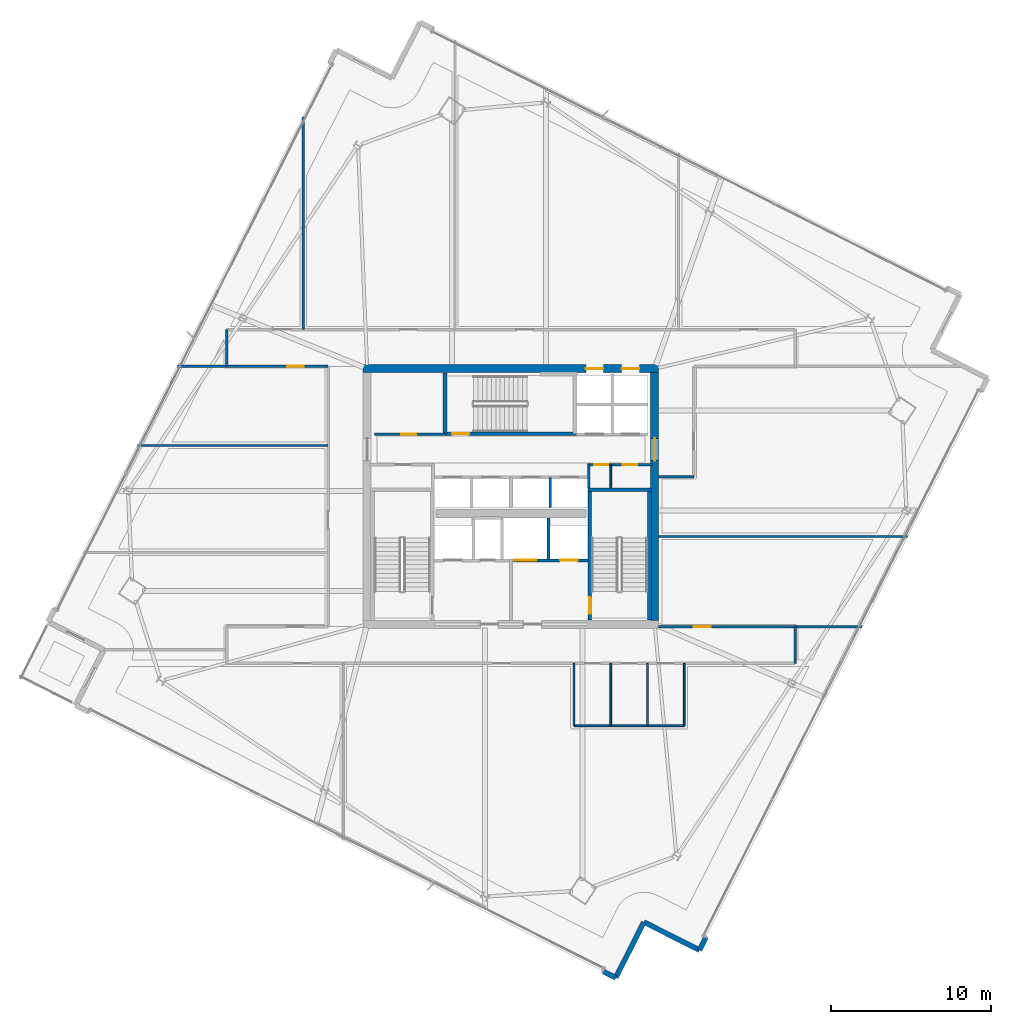
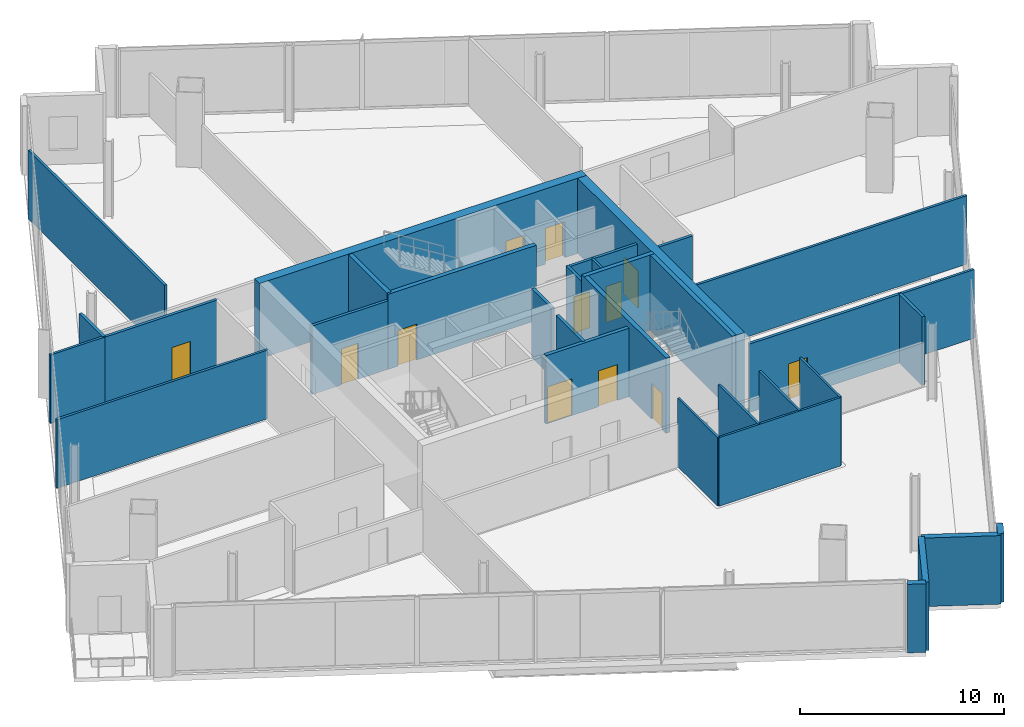
# One storey, part 21 of 27: 33 walls, 12 doors, 12 openings.
"""IFC4 building model written with IfcOpenShell, lengths in metres."""

from ifc_helpers import new_model, si_unit, direction, frame, frame_2d, origin, place, context, subcontext, project, spatial, rectangle, extrude, material, layer, layer_set, type_object, element, fill, save


model = new_model("IFC4")

# Units and contexts
model_context = context("Model", 3, precision=1e-05, world=origin(), true_north=direction((0.0, 1.0)))
body_context = subcontext(model_context, "Body", "Model", "MODEL_VIEW")
ifc_project = project(units=[si_unit("LENGTHUNIT", "METRE"), si_unit("AREAUNIT", "SQUARE_METRE"), si_unit("VOLUMEUNIT", "CUBIC_METRE"), si_unit("PLANEANGLEUNIT", "RADIAN"), si_unit("MASSUNIT", "GRAM", prefix="KILO")], contexts=[model_context])

# Site, building, storey
site_placement = place(None, origin())
site = spatial("IfcSite", under=ifc_project, at=site_placement, CompositionType="ELEMENT")
building_placement = place(site_placement, origin())
building = spatial("IfcBuilding", under=site, at=building_placement, Name="Haldenkirk Collegiate Tower", CompositionType="ELEMENT")
storey_placement = place(building_placement, frame((0.0, 0.0, 239.699951171875)))
storey = spatial("IfcBuildingStorey", under=building, at=storey_placement, Name="L60", CompositionType="ELEMENT", Elevation=239.699951171875)

# Wall, openings, doors
ifc_material_1 = material(Name="Concrete f'c 55 MPa", Category="concrete")
ifc_layer_1 = layer(ifc_material_1, 0.5)
ifc_layer_set_1 = layer_set([ifc_layer_1], Name="Concrete f'c 55 MPa")
wall_type_1 = type_object("IfcWallType", Name="WL-CORE-500", PredefinedType="SHEAR", material=ifc_layer_set_1)
wall_1_placement = place(storey_placement, frame((26.75, 34.0, 0.0), z_axis=(0.0, 0.0, 1.0), x_axis=(1.0, 0.0, 0.0)))
wall_1 = element("IfcWall", 1, at=wall_1_placement, inside=storey, type_object=wall_type_1, Name="L60 central core shear wall N", PredefinedType="SHEAR", context=body_context, shape_type="SweptSolid", body=[
    extrude(rectangle(XDim=18.5, YDim=0.5, at=frame_2d((9.25, 0.0))), origin(), (0.0, 0.0, 1.0), 4.5),
])
opening_1_placement = place(wall_1_placement, frame((13.93505859375, 0.0, 0.0)))
opening_1 = element("IfcOpeningElement", 2, at=opening_1_placement, cuts=wall_1, Name="Opening LD-11", PredefinedType="OPENING", context=body_context, shape_type="SweptSolid", body=[
    extrude(rectangle(XDim=1.10009765625, YDim=2.14990234375, at=frame_2d((0.550048828125, 1.074951171875))), frame((0.0, 0.260009765625, 0.0), z_axis=(0.0, -1.0, 0.0), x_axis=(1.0, 0.0, 0.0)), (0.0, 0.0, 1.0), 0.52001953125),
])
opening_2_placement = place(wall_1_placement, frame((16.18505859375, 0.0, 0.0)))
opening_2 = element("IfcOpeningElement", 3, at=opening_2_placement, cuts=wall_1, Name="Opening LD-11", PredefinedType="OPENING", context=body_context, shape_type="SweptSolid", body=[
    extrude(rectangle(XDim=1.10009765625, YDim=2.14990234375, at=frame_2d((0.550048828125, 1.074951171875))), frame((0.0, 0.260009765625, 0.0), z_axis=(0.0, -1.0, 0.0), x_axis=(1.0, 0.0, 0.0)), (0.0, 0.0, 1.0), 0.52001953125),
])
ifc_material_2 = material(Name="Brushed architectural stainless steel", Category="steel")
ifc_layer_2 = layer(ifc_material_2, 0.06005859375)
ifc_layer_set_2 = layer_set([ifc_layer_2], Name="Brushed architectural stainless steel")
door_type_1 = type_object("IfcDoorType", Name="LD-PASS-1100", OperationType="NOTDEFINED", PredefinedType="DOOR", material=ifc_layer_set_2)
door_1_placement = place(opening_1_placement, origin())
door_1 = element("IfcDoor", 4, at=door_1_placement, inside=storey, type_object=door_type_1, Name="L60 Elevator PM3 sliding landing door", OperationType="SLIDING_TO_LEFT", OverallHeight=2.14990234375, OverallWidth=1.10009765625, PredefinedType="DOOR", context=body_context, shape_type="SweptSolid", body=[
    extrude(rectangle(XDim=1.10009765625, YDim=2.14990234375, at=frame_2d((0.550048828125, 1.074951171875))), frame((0.0, 0.02490234375, 0.0), z_axis=(0.0, -1.0, 0.0), x_axis=(1.0, 0.0, 0.0)), (0.0, 0.0, 1.0), 0.050048828125),
])
fill(opening_1, door_1)
door_2_placement = place(opening_2_placement, origin())
door_2 = element("IfcDoor", 5, at=door_2_placement, inside=storey, type_object=door_type_1, Name="L60 Elevator PM4 sliding landing door", OperationType="SLIDING_TO_LEFT", OverallHeight=2.14990234375, OverallWidth=1.10009765625, PredefinedType="DOOR", context=body_context, shape_type="SweptSolid", body=[
    extrude(rectangle(XDim=1.10009765625, YDim=2.14990234375, at=frame_2d((0.550048828125, 1.074951171875))), frame((0.0, 0.02490234375, 0.0), z_axis=(0.0, -1.0, 0.0), x_axis=(1.0, 0.0, 0.0)), (0.0, 0.0, 1.0), 0.050048828125),
])
fill(opening_2, door_2)

# Wall, opening, door
wall_2_placement = place(storey_placement, frame((45.0, 18.25, 0.0), z_axis=(0.0, 0.0, 1.0), x_axis=(0.0, 1.0, 0.0)))
wall_2 = element("IfcWall", 6, at=wall_2_placement, inside=storey, type_object=wall_type_1, Name="L60 central core shear wall E", PredefinedType="SHEAR", context=body_context, shape_type="SweptSolid", body=[
    extrude(rectangle(XDim=15.5, YDim=0.5, at=frame_2d((7.75, 0.0))), origin(), (0.0, 0.0, 1.0), 4.5),
])
opening_3_placement = place(wall_2_placement, frame((9.989990234375, 0.0, 0.0)))
opening_3 = element("IfcOpeningElement", 7, at=opening_3_placement, cuts=wall_2, Name="Opening D-03", PredefinedType="OPENING", context=body_context, shape_type="SweptSolid", body=[
    extrude(rectangle(XDim=1.39990234375, YDim=2.199951171875, at=frame_2d((0.699951171875, 1.10009765625))), frame((0.0, 0.260009765625, 0.0), z_axis=(0.0, -1.0, 0.0), x_axis=(1.0, 0.0, 0.0)), (0.0, 0.0, 1.0), 0.52001953125),
])
ifc_material_3 = material(Name="Galvanized fire-rated hollow steel door", Category="steel")
ifc_layer_3 = layer(ifc_material_3, 0.06005859375)
ifc_layer_set_3 = layer_set([ifc_layer_3], Name="Galvanized fire-rated hollow steel door")
door_type_2 = type_object("IfcDoorType", Name="DR-LOBBY-FD90-1400", OperationType="NOTDEFINED", PredefinedType="DOOR", material=ifc_layer_set_3)
door_3_placement = place(opening_3_placement, origin())
door_3 = element("IfcDoor", 8, at=door_3_placement, inside=storey, type_object=door_type_2, Name="L60 east lift lobby portal", OperationType="DOUBLE_DOOR_SINGLE_SWING", OverallHeight=2.199951171875, OverallWidth=1.39990234375, PredefinedType="DOOR", context=body_context, shape_type="SweptSolid", body=[
    extrude(rectangle(XDim=1.39990234375, YDim=2.199951171875, at=frame_2d((0.699951171875, 1.10009765625))), frame((0.0, 0.02490234375, 0.0), z_axis=(0.0, -1.0, 0.0), x_axis=(1.0, 0.0, 0.0)), (0.0, 0.0, 1.0), 0.050048828125),
])
fill(opening_3, door_3)

# Walls
ifc_material_4 = material(Name="Precast concrete f'c 40 MPa", Category="concrete")
ifc_layer_4 = layer(ifc_material_4, 0.320068359375)
ifc_layer_set_4 = layer_set([ifc_layer_4], Name="Precast concrete f'c 40 MPa")
wall_type_2 = type_object("IfcWallType", Name="WL-EXT-TWR-320", PredefinedType="STANDARD", material=ifc_layer_set_4)
wall_3_placement = place(storey_placement, frame((48.20947265625, -1.59912109375, 0.0), z_axis=(0.0, 0.0, 1.0), x_axis=(-0.45024883958, -0.892903120421, 0.0)))
element("IfcWall", 9, at=wall_3_placement, inside=storey, type_object=wall_type_2, Name="L60 precast corner pier SR", PredefinedType="STANDARD", context=body_context, shape_type="SweptSolid", body=[
    extrude(rectangle(XDim=0.900146484375, YDim=0.320068359375, at=frame_2d((0.4501953125, 0.0))), origin(), (0.0, 0.0, 1.0), 4.10009765625),
])
wall_4_placement = place(storey_placement, frame((42.56640625, -4.1298828125, 0.0), z_axis=(0.0, 0.0, 1.0), x_axis=(-0.893012151464, 0.450032551421, 0.0)))
element("IfcWall", 10, at=wall_4_placement, inside=storey, type_object=wall_type_2, Name="L60 precast corner pier WL", PredefinedType="STANDARD", context=body_context, shape_type="SweptSolid", body=[
    extrude(rectangle(XDim=0.89990234375, YDim=0.320068359375, at=frame_2d((0.449951171875, 0.0))), origin(), (0.0, 0.0, 1.0), 4.10009765625),
])
wall_5_placement = place(storey_placement, frame((44.321533203125, -0.6474609375, 0.0), z_axis=(0.0, 0.0, 1.0), x_axis=(-0.450066097652, -0.892995245085, 0.0)))
element("IfcWall", 11, at=wall_5_placement, inside=storey, type_object=wall_type_2, Name="L60 bronze precast notch wall 11", PredefinedType="STANDARD", context=body_context, shape_type="SweptSolid", body=[
    extrude(rectangle(XDim=3.899658203125, YDim=0.320068359375, at=frame_2d((1.94970703125, 0.0))), origin(), (0.0, 0.0, 1.0), 4.10009765625),
])
wall_6_placement = place(storey_placement, frame((47.80419921875, -2.40283203125, 0.0), z_axis=(0.0, 0.0, 1.0), x_axis=(-0.892982765682, 0.450090857711, 0.0)))
element("IfcWall", 12, at=wall_6_placement, inside=storey, type_object=wall_type_2, Name="L60 bronze precast notch wall 12", PredefinedType="STANDARD", context=body_context, shape_type="SweptSolid", body=[
    extrude(rectangle(XDim=3.900146484375, YDim=0.320068359375, at=frame_2d((1.9501953125, 0.0))), origin(), (0.0, 0.0, 1.0), 4.10009765625),
])

# Wall, openings, doors
ifc_material_5 = material(Name="Acoustic fire-rated gypsum partition", Category="concrete")
ifc_layer_5 = layer(ifc_material_5, 0.159912109375)
ifc_layer_set_5 = layer_set([ifc_layer_5], Name="Acoustic fire-rated gypsum partition")
wall_type_3 = type_object("IfcWallType", Name="WL-INT-CORR-160", PredefinedType="PARTITIONING", material=ifc_layer_set_5)
wall_7_placement = place(storey_placement, frame((40.800048828125, 27.97998046875, 0.0), z_axis=(0.0, 0.0, 1.0), x_axis=(1.0, 0.0, 0.0)))
wall_7 = element("IfcWall", 13, at=wall_7_placement, inside=storey, type_object=wall_type_3, Name="L60 interior partition IW-L60-VCSE-N", PredefinedType="PARTITIONING", context=body_context, shape_type="SweptSolid", body=[
    extrude(rectangle(XDim=4.050048828125, YDim=0.159912109375, at=frame_2d((2.02490234375, 0.0))), origin(), (0.0, 0.0, 1.0), 4.10009765625),
])
opening_4_placement = place(wall_7_placement, frame((0.407470703125, 0.0, 0.0)))
opening_4 = element("IfcOpeningElement", 14, at=opening_4_placement, cuts=wall_7, Name="Opening D-11", PredefinedType="OPENING", context=body_context, shape_type="SweptSolid", body=[
    extrude(rectangle(XDim=0.89990234375, YDim=2.14990234375, at=frame_2d((0.449951171875, 1.074951171875))), frame((0.0, 0.08984375, 0.0), z_axis=(0.0, -1.0, 0.0), x_axis=(1.0, 0.0, 0.0)), (0.0, 0.0, 1.0), 0.179931640625),
])
opening_5_placement = place(wall_7_placement, frame((2.199951171875, 0.0, 0.0)))
opening_5 = element("IfcOpeningElement", 15, at=opening_5_placement, cuts=wall_7, Name="Opening D-11", PredefinedType="OPENING", context=body_context, shape_type="SweptSolid", body=[
    extrude(rectangle(XDim=0.89990234375, YDim=2.14990234375, at=frame_2d((0.449951171875, 1.074951171875))), frame((0.0, 0.08984375, 0.0), z_axis=(0.0, -1.0, 0.0), x_axis=(1.0, 0.0, 0.0)), (0.0, 0.0, 1.0), 0.179931640625),
])
ifc_material_6 = material(Name="Solid-core architectural oak fire door", Category="wood")
ifc_layer_6 = layer(ifc_material_6, 0.06005859375)
ifc_layer_set_6 = layer_set([ifc_layer_6], Name="Solid-core architectural oak fire door")
door_type_3 = type_object("IfcDoorType", Name="DR-INT-FD60-900", OperationType="NOTDEFINED", PredefinedType="DOOR", material=ifc_layer_set_6)
door_4_placement = place(opening_4_placement, origin())
door_4 = element("IfcDoor", 16, at=door_4_placement, inside=storey, type_object=door_type_3, Name="L60 core copy room door", OperationType="SINGLE_SWING_RIGHT", OverallHeight=2.14990234375, OverallWidth=0.89990234375, PredefinedType="DOOR", context=body_context, shape_type="SweptSolid", body=[
    extrude(rectangle(XDim=0.89990234375, YDim=2.14990234375, at=frame_2d((0.449951171875, 1.074951171875))), frame((0.0, 0.02490234375, 0.0), z_axis=(0.0, -1.0, 0.0), x_axis=(1.0, 0.0, 0.0)), (0.0, 0.0, 1.0), 0.050048828125),
])
fill(opening_4, door_4)
door_5_placement = place(opening_5_placement, origin())
door_5 = element("IfcDoor", 17, at=door_5_placement, inside=storey, type_object=door_type_3, Name="L60 core records store door", OperationType="SINGLE_SWING_LEFT", OverallHeight=2.14990234375, OverallWidth=0.89990234375, PredefinedType="DOOR", context=body_context, shape_type="SweptSolid", body=[
    extrude(rectangle(XDim=0.89990234375, YDim=2.14990234375, at=frame_2d((0.449951171875, 1.074951171875))), frame((0.0, 0.02490234375, 0.0), z_axis=(0.0, -1.0, 0.0), x_axis=(1.0, 0.0, 0.0)), (0.0, 0.0, 1.0), 0.050048828125),
])
fill(opening_5, door_5)

# Wall
wall_8_placement = place(storey_placement, frame((40.8798828125, 26.5400390625, 0.0), z_axis=(0.0, 0.0, 1.0), x_axis=(0.0, 1.0, 0.0)))
element("IfcWall", 18, at=wall_8_placement, inside=storey, type_object=wall_type_3, Name="L60 interior partition IW-L60-VCSE-W", PredefinedType="PARTITIONING", context=body_context, shape_type="SweptSolid", body=[
    extrude(rectangle(XDim=1.510009765625, YDim=0.159912109375, at=frame_2d((0.7548828125, 0.0))), origin(), (0.0, 0.0, 1.0), 4.10009765625),
])

# Wall, opening, door
wall_9_placement = place(storey_placement, frame((27.449951171875, 29.89990234375, 0.0), z_axis=(0.0, 0.0, 1.0), x_axis=(1.0, 0.0, 0.0)))
wall_9 = element("IfcWall", 19, at=wall_9_placement, inside=storey, type_object=wall_type_3, Name="L60 interior partition IW-L60-PLS", PredefinedType="PARTITIONING", context=body_context, shape_type="SweptSolid", body=[
    extrude(rectangle(XDim=4.429931640625, YDim=0.159912109375, at=frame_2d((2.21484375, 0.0))), origin(), (0.0, 0.0, 1.0), 4.10009765625),
])
opening_6_placement = place(wall_9_placement, frame((1.675048828125, 0.0, 0.0)))
opening_6 = element("IfcOpeningElement", 20, at=opening_6_placement, cuts=wall_9, Name="Opening D-10", PredefinedType="OPENING", context=body_context, shape_type="SweptSolid", body=[
    extrude(rectangle(XDim=0.949951171875, YDim=2.14990234375, at=frame_2d((0.47509765625, 1.074951171875))), frame((0.0, 0.08984375, 0.0), z_axis=(0.0, -1.0, 0.0), x_axis=(1.0, 0.0, 0.0)), (0.0, 0.0, 1.0), 0.179931640625),
])
ifc_layer_7 = layer(ifc_material_6, 0.06005859375)
ifc_layer_set_7 = layer_set([ifc_layer_7], Name="Solid-core architectural oak fire door")
door_type_4 = type_object("IfcDoorType", Name="DR-INT-FD60-950", OperationType="NOTDEFINED", PredefinedType="DOOR", material=ifc_layer_set_7)
door_6_placement = place(opening_6_placement, origin())
door_6 = element("IfcDoor", 21, at=door_6_placement, inside=storey, type_object=door_type_4, Name="L60 archive door", OperationType="SINGLE_SWING_RIGHT", OverallHeight=2.14990234375, OverallWidth=0.949951171875, PredefinedType="DOOR", context=body_context, shape_type="SweptSolid", body=[
    extrude(rectangle(XDim=0.949951171875, YDim=2.14990234375, at=frame_2d((0.47509765625, 1.074951171875))), frame((0.0, 0.02490234375, 0.0), z_axis=(0.0, -1.0, 0.0), x_axis=(1.0, 0.0, 0.0)), (0.0, 0.0, 1.0), 0.050048828125),
])
fill(opening_6, door_6)

wall_10_placement = place(storey_placement, frame((45.25, 17.85009765625, 0.0), z_axis=(0.0, 0.0, 1.0), x_axis=(1.0, 0.0, 0.0)))
wall_10 = element("IfcWall", 22, at=wall_10_placement, inside=storey, type_object=wall_type_3, Name="L60 interior partition IW-L60-CSE", PredefinedType="PARTITIONING", context=body_context, shape_type="SweptSolid", body=[
    extrude(rectangle(XDim=8.550048828125, YDim=0.159912109375, at=frame_2d((4.27490234375, 0.0))), origin(), (0.0, 0.0, 1.0), 4.10009765625),
])
opening_7_placement = place(wall_10_placement, frame((2.2109375, 0.0, 0.0)))
opening_7 = element("IfcOpeningElement", 23, at=opening_7_placement, cuts=wall_10, Name="Opening D-09", PredefinedType="OPENING", context=body_context, shape_type="SweptSolid", body=[
    extrude(rectangle(XDim=1.050048828125, YDim=2.14990234375, at=frame_2d((0.52490234375, 1.074951171875))), frame((0.0, 0.08984375, 0.0), z_axis=(0.0, -1.0, 0.0), x_axis=(1.0, 0.0, 0.0)), (0.0, 0.0, 1.0), 0.179931640625),
])
ifc_layer_8 = layer(ifc_material_6, 0.06005859375)
ifc_layer_set_8 = layer_set([ifc_layer_8], Name="Solid-core architectural oak fire door")
door_type_5 = type_object("IfcDoorType", Name="DR-INT-FD60-1050", OperationType="NOTDEFINED", PredefinedType="DOOR", material=ifc_layer_set_8)
door_7_placement = place(opening_7_placement, origin())
door_7 = element("IfcDoor", 24, at=door_7_placement, inside=storey, type_object=door_type_5, Name="L60 Optics Research Laboratory 10 door", OperationType="SINGLE_SWING_LEFT", OverallHeight=2.14990234375, OverallWidth=1.050048828125, PredefinedType="DOOR", context=body_context, shape_type="SweptSolid", body=[
    extrude(rectangle(XDim=1.050048828125, YDim=2.14990234375, at=frame_2d((0.52490234375, 1.074951171875))), frame((0.0, 0.02490234375, 0.0), z_axis=(0.0, -1.0, 0.0), x_axis=(1.0, 0.0, 0.0)), (0.0, 0.0, 1.0), 0.050048828125),
])
fill(opening_7, door_7)

wall_11_placement = place(storey_placement, frame((18.199951171875, 34.14990234375, 0.0), z_axis=(0.0, 0.0, 1.0), x_axis=(1.0, 0.0, 0.0)))
wall_11 = element("IfcWall", 25, at=wall_11_placement, inside=storey, type_object=wall_type_3, Name="L60 interior partition IW-L60-CNW", PredefinedType="PARTITIONING", context=body_context, shape_type="SweptSolid", body=[
    extrude(rectangle(XDim=6.35009765625, YDim=0.159912109375, at=frame_2d((3.175048828125, 0.0))), origin(), (0.0, 0.0, 1.0), 4.10009765625),
])
opening_8_placement = place(wall_11_placement, frame((3.79296875, 0.0, 0.0)))
opening_8 = element("IfcOpeningElement", 26, at=opening_8_placement, cuts=wall_11, Name="Opening D-09", PredefinedType="OPENING", context=body_context, shape_type="SweptSolid", body=[
    extrude(rectangle(XDim=1.050048828125, YDim=2.14990234375, at=frame_2d((0.52490234375, 1.074951171875))), frame((0.0, 0.08984375, 0.0), z_axis=(0.0, -1.0, 0.0), x_axis=(1.0, 0.0, 0.0)), (0.0, 0.0, 1.0), 0.179931640625),
])
door_8_placement = place(opening_8_placement, origin())
door_8 = element("IfcDoor", 27, at=door_8_placement, inside=storey, type_object=door_type_5, Name="L60 Wet Science Laboratory 9 door", OperationType="SINGLE_SWING_RIGHT", OverallHeight=2.14990234375, OverallWidth=1.050048828125, PredefinedType="DOOR", context=body_context, shape_type="SweptSolid", body=[
    extrude(rectangle(XDim=1.050048828125, YDim=2.14990234375, at=frame_2d((0.52490234375, 1.074951171875))), frame((0.0, 0.02490234375, 0.0), z_axis=(0.0, -1.0, 0.0), x_axis=(1.0, 0.0, 0.0)), (0.0, 0.0, 1.0), 0.050048828125),
])
fill(opening_8, door_8)

# Walls
wall_12_placement = place(storey_placement, frame((45.199951171875, 27.25, 0.0), z_axis=(0.0, 0.0, 1.0), x_axis=(1.0, 0.0, 0.0)))
element("IfcWall", 28, at=wall_12_placement, inside=storey, type_object=wall_type_3, Name="L60 interior partition IW-L60-CES", PredefinedType="PARTITIONING", context=body_context, shape_type="SweptSolid", body=[
    extrude(rectangle(XDim=2.25, YDim=0.159912109375, at=frame_2d((1.125, 0.0))), origin(), (0.0, 0.0, 1.0), 4.10009765625),
])
for number, where, z_axis, x_axis, name in (
    (29, (53.800048828125, 15.550048828125, 0.0), (0.0, 0.0, 1.0), (0.0, 1.0, 0.0), "L60 interior partition IW-L60-CSR"),
    (30, (18.199951171875, 34.14990234375, 0.0), (0.0, 0.0, 1.0), (0.0, 1.0, 0.0), "L60 interior partition IW-L60-CNL"),
):
    element("IfcWall", number, at=place(storey_placement, frame(where, z_axis=z_axis, x_axis=x_axis)), inside=storey, type_object=wall_type_3, Name=name, PredefinedType="PARTITIONING", context=body_context, shape_type="SweptSolid", body=[
        extrude(rectangle(XDim=2.300048828125, YDim=0.159912109375, at=frame_2d((1.14990234375, 0.0))), origin(), (0.0, 0.0, 1.0), 4.10009765625),
    ])
ifc_layer_9 = layer(ifc_material_5, 0.139892578125)
ifc_layer_set_9 = layer_set([ifc_layer_9], Name="Acoustic fire-rated gypsum partition")
wall_type_4 = type_object("IfcWallType", Name="WL-INT-DIV-140", PredefinedType="PARTITIONING", material=ifc_layer_set_9)
wall_13_placement = place(storey_placement, frame((15.1240234375, 34.14990234375, 0.0), z_axis=(0.0, 0.0, 1.0), x_axis=(1.0, 0.0, 0.0)))
element("IfcWall", 31, at=wall_13_placement, inside=storey, type_object=wall_type_4, Name="L60 interior partition IW-L60-BWN", PredefinedType="PARTITIONING", context=body_context, shape_type="SweptSolid", body=[
    extrude(rectangle(XDim=3.075927734375, YDim=0.139892578125, at=frame_2d((1.5380859375, 0.0))), origin(), (0.0, 0.0, 1.0), 4.10009765625),
])
wall_14_placement = place(storey_placement, frame((53.800048828125, 17.85009765625, 0.0), z_axis=(0.0, 0.0, 1.0), x_axis=(1.0, 0.0, 0.0)))
element("IfcWall", 32, at=wall_14_placement, inside=storey, type_object=wall_type_4, Name="L60 interior partition IW-L60-BES", PredefinedType="PARTITIONING", context=body_context, shape_type="SweptSolid", body=[
    extrude(rectangle(XDim=4.167724609375, YDim=0.139892578125, at=frame_2d((2.083984375, 0.0))), origin(), (0.0, 0.0, 1.0), 4.10009765625),
])
wall_15_placement = place(storey_placement, frame((23.0, 36.449951171875, 0.0), z_axis=(0.0, 0.0, 1.0), x_axis=(0.0, 1.0, 0.0)))
element("IfcWall", 33, at=wall_15_placement, inside=storey, type_object=wall_type_4, Name="L60 interior partition IW-L60-RN1", PredefinedType="PARTITIONING", context=body_context, shape_type="SweptSolid", body=[
    extrude(rectangle(XDim=13.325439453125, YDim=0.139892578125, at=frame_2d((6.66259765625, 0.0))), origin(), (0.0, 0.0, 1.0), 4.10009765625),
])
wall_16_placement = place(storey_placement, frame((12.629150390625, 29.199951171875, 0.0), z_axis=(0.0, 0.0, 1.0), x_axis=(1.0, 0.0, 0.0)))
element("IfcWall", 34, at=wall_16_placement, inside=storey, type_object=wall_type_4, Name="L60 interior partition IW-L60-RW2", PredefinedType="PARTITIONING", context=body_context, shape_type="SweptSolid", body=[
    extrude(rectangle(XDim=11.9208984375, YDim=0.139892578125, at=frame_2d((5.96044921875, 0.0))), origin(), (0.0, 0.0, 1.0), 4.10009765625),
])
wall_17_placement = place(storey_placement, frame((45.25, 23.5, 0.0), z_axis=(0.0, 0.0, 1.0), x_axis=(1.0, 0.0, 0.0)))
element("IfcWall", 35, at=wall_17_placement, inside=storey, type_object=wall_type_4, Name="L60 interior partition IW-L60-RE1", PredefinedType="PARTITIONING", context=body_context, shape_type="SweptSolid", body=[
    extrude(rectangle(XDim=15.5654296875, YDim=0.139892578125, at=frame_2d((7.78271484375, 0.0))), origin(), (0.0, 0.0, 1.0), 4.10009765625),
])
ifc_material_7 = material(Name="Fire-rated gypsum shaftboard assembly", Category="concrete")
ifc_layer_10 = layer(ifc_material_7, 0.179931640625)
ifc_layer_set_10 = layer_set([ifc_layer_10], Name="Fire-rated gypsum shaftboard assembly")
wall_type_5 = type_object("IfcWallType", Name="WL-INT-SHAFT-180", PredefinedType="PARTITIONING", material=ifc_layer_set_10)
wall_18_placement = place(storey_placement, frame((38.35009765625, 22.050048828125, 0.0), z_axis=(0.0, 0.0, 1.0), x_axis=(0.0, 1.0, 0.0)))
element("IfcWall", 36, at=wall_18_placement, inside=storey, type_object=wall_type_5, Name="L60 interior partition IW-L60-GL1E", PredefinedType="PARTITIONING", context=body_context, shape_type="SweptSolid", body=[
    extrude(rectangle(XDim=2.599853515625, YDim=0.179931640625, at=frame_2d((1.2998046875, 0.0))), origin(), (0.0, 0.0, 1.0), 4.10009765625),
])
wall_19_placement = place(storey_placement, frame((38.4599609375, 25.300048828125, 0.0), z_axis=(0.0, 0.0, 1.0), x_axis=(0.0, 1.0, 0.0)))
element("IfcWall", 37, at=wall_19_placement, inside=storey, type_object=wall_type_5, Name="L60 interior partition IW-L60-PHV3", PredefinedType="PARTITIONING", context=body_context, shape_type="SweptSolid", body=[
    extrude(rectangle(XDim=1.89990234375, YDim=0.179931640625, at=frame_2d((0.949951171875, 0.0))), origin(), (0.0, 0.0, 1.0), 4.10009765625),
])

# Wall, openings, doors
ifc_layer_11 = layer(ifc_material_7, 0.199951171875)
ifc_layer_set_11 = layer_set([ifc_layer_11], Name="Fire-rated gypsum shaftboard assembly")
wall_type_6 = type_object("IfcWallType", Name="WL-INT-SHAFT-200", PredefinedType="PARTITIONING", material=ifc_layer_set_11)
wall_20_placement = place(storey_placement, frame((36.1201171875, 22.0, 0.0), z_axis=(0.0, 0.0, 1.0), x_axis=(1.0, 0.0, 0.0)))
wall_20 = element("IfcWall", 38, at=wall_20_placement, inside=storey, type_object=wall_type_6, Name="L60 interior partition IW-L60-FFL2N", PredefinedType="PARTITIONING", context=body_context, shape_type="SweptSolid", body=[
    extrude(rectangle(XDim=4.68994140625, YDim=0.199951171875, at=frame_2d((2.344970703125, 0.0))), origin(), (0.0, 0.0, 1.0), 4.10009765625),
])
opening_9_placement = place(wall_20_placement, frame((2.955078125, 0.0, 0.0)))
opening_9 = element("IfcOpeningElement", 39, at=opening_9_placement, cuts=wall_20, Name="Opening LD-12", PredefinedType="OPENING", context=body_context, shape_type="SweptSolid", body=[
    extrude(rectangle(XDim=1.10009765625, YDim=2.14990234375, at=frame_2d((0.550048828125, 1.074951171875))), frame((0.0, 0.10986328125, 0.0), z_axis=(0.0, -1.0, 0.0), x_axis=(1.0, 0.0, 0.0)), (0.0, 0.0, 1.0), 0.219970703125),
])
opening_10_placement = place(wall_20_placement, frame((0.080078125, 0.0, 0.0)))
opening_10 = element("IfcOpeningElement", 40, at=opening_10_placement, cuts=wall_20, Name="Opening LD-13", PredefinedType="OPENING", context=body_context, shape_type="SweptSolid", body=[
    extrude(rectangle(XDim=1.39990234375, YDim=2.199951171875, at=frame_2d((0.699951171875, 1.10009765625))), frame((0.0, 0.10986328125, 0.0), z_axis=(0.0, -1.0, 0.0), x_axis=(1.0, 0.0, 0.0)), (0.0, 0.0, 1.0), 0.219970703125),
])
ifc_layer_12 = layer(ifc_material_2, 0.06005859375)
ifc_layer_set_12 = layer_set([ifc_layer_12], Name="Brushed architectural stainless steel")
door_type_6 = type_object("IfcDoorType", Name="LD-FIRE-1100", OperationType="NOTDEFINED", PredefinedType="DOOR", material=ifc_layer_set_12)
door_9_placement = place(opening_9_placement, origin())
door_9 = element("IfcDoor", 41, at=door_9_placement, inside=storey, type_object=door_type_6, Name="L60 Elevator FL2 sliding landing door", OperationType="SLIDING_TO_LEFT", OverallHeight=2.14990234375, OverallWidth=1.10009765625, PredefinedType="DOOR", context=body_context, shape_type="SweptSolid", body=[
    extrude(rectangle(XDim=1.10009765625, YDim=2.14990234375, at=frame_2d((0.550048828125, 1.074951171875))), frame((0.0, 0.02490234375, 0.0), z_axis=(0.0, -1.0, 0.0), x_axis=(1.0, 0.0, 0.0)), (0.0, 0.0, 1.0), 0.050048828125),
])
fill(opening_9, door_9)
ifc_layer_13 = layer(ifc_material_2, 0.06005859375)
ifc_layer_set_13 = layer_set([ifc_layer_13], Name="Brushed architectural stainless steel")
door_type_7 = type_object("IfcDoorType", Name="LD-GOODS-1400", OperationType="NOTDEFINED", PredefinedType="DOOR", material=ifc_layer_set_13)
door_10_placement = place(opening_10_placement, origin())
door_10 = element("IfcDoor", 42, at=door_10_placement, inside=storey, type_object=door_type_7, Name="L60 Elevator GL1 sliding landing door", OperationType="SLIDING_TO_LEFT", OverallHeight=2.199951171875, OverallWidth=1.39990234375, PredefinedType="DOOR", context=body_context, shape_type="SweptSolid", body=[
    extrude(rectangle(XDim=1.39990234375, YDim=2.199951171875, at=frame_2d((0.699951171875, 1.10009765625))), frame((0.0, 0.02490234375, 0.0), z_axis=(0.0, -1.0, 0.0), x_axis=(1.0, 0.0, 0.0)), (0.0, 0.0, 1.0), 0.050048828125),
])
fill(opening_10, door_10)

# Walls
ifc_layer_14 = layer(ifc_material_5, 0.1201171875)
ifc_layer_set_14 = layer_set([ifc_layer_14], Name="Acoustic fire-rated gypsum partition")
wall_type_7 = type_object("IfcWallType", Name="WL-INT-WET-120", PredefinedType="PARTITIONING", material=ifc_layer_set_14)
wall_21_placement = place(storey_placement, frame((42.25, 26.5400390625, 0.0), z_axis=(0.0, 0.0, 1.0), x_axis=(0.0, 1.0, 0.0)))
element("IfcWall", 43, at=wall_21_placement, inside=storey, type_object=wall_type_7, Name="L60 interior partition IW-L60-VCSE-M", PredefinedType="PARTITIONING", context=body_context, shape_type="SweptSolid", body=[
    extrude(rectangle(XDim=1.43994140625, YDim=0.1201171875, at=frame_2d((0.719970703125, 0.0))), origin(), (0.0, 0.0, 1.0), 4.10009765625),
])
for number, where, z_axis, x_axis, name in (
    (44, (39.949951171875, 11.64990234375, 0.0), (0.0, 0.0, 1.0), (0.0, 1.0, 0.0), "L60 interior partition IW-L60-WCW"),
    (45, (42.25, 11.64990234375, 0.0), (0.0, 0.0, 1.0), (0.0, 1.0, 0.0), "L60 interior partition IW-L60-WC1"),
    (46, (44.550048828125, 11.64990234375, 0.0), (0.0, 0.0, 1.0), (0.0, 1.0, 0.0), "L60 interior partition IW-L60-WC2"),
    (47, (46.85009765625, 11.64990234375, 0.0), (0.0, 0.0, 1.0), (0.0, 1.0, 0.0), "L60 interior partition IW-L60-WCE"),
):
    element("IfcWall", number, at=place(storey_placement, frame(where, z_axis=z_axis, x_axis=x_axis)), inside=storey, type_object=wall_type_7, Name=name, PredefinedType="PARTITIONING", context=body_context, shape_type="SweptSolid", body=[
        extrude(rectangle(XDim=3.900146484375, YDim=0.1201171875, at=frame_2d((1.9501953125, 0.0))), origin(), (0.0, 0.0, 1.0), 4.10009765625),
    ])
wall_22_placement = place(storey_placement, frame((39.949951171875, 11.64990234375, 0.0), z_axis=(0.0, 0.0, 1.0), x_axis=(1.0, 0.0, 0.0)))
element("IfcWall", 48, at=wall_22_placement, inside=storey, type_object=wall_type_7, Name="L60 interior partition IW-L60-WCB", PredefinedType="PARTITIONING", context=body_context, shape_type="SweptSolid", body=[
    extrude(rectangle(XDim=6.900146484375, YDim=0.1201171875, at=frame_2d((3.4501953125, 0.0))), origin(), (0.0, 0.0, 1.0), 4.10009765625),
])

# Wall, opening, door
ifc_layer_15 = layer(ifc_material_1, 0.239990234375)
ifc_layer_set_15 = layer_set([ifc_layer_15], Name="Concrete f'c 55 MPa")
wall_type_8 = type_object("IfcWallType", Name="WL-SHAFT-240", PredefinedType="SHEAR", material=ifc_layer_set_15)
wall_23_placement = place(storey_placement, frame((40.929931640625, 18.280029296875, 0.0), z_axis=(0.0, 0.0, 1.0), x_axis=(0.0, 1.0, 0.0)))
wall_23 = element("IfcWall", 49, at=wall_23_placement, inside=storey, type_object=wall_type_8, Name="L60 stair shaft shear wall SW-L60-ST2W", PredefinedType="SHEAR", context=body_context, shape_type="SweptSolid", body=[
    extrude(rectangle(XDim=8.260009765625, YDim=0.239990234375, at=frame_2d((4.1298828125, 0.0))), origin(), (0.0, 0.0, 1.0), 4.5),
])
opening_11_placement = place(wall_23_placement, frame((0.364990234375, 0.0, 0.0)))
opening_11 = element("IfcOpeningElement", 50, at=opening_11_placement, cuts=wall_23, Name="Opening D-01", PredefinedType="OPENING", context=body_context, shape_type="SweptSolid", body=[
    extrude(rectangle(XDim=1.050048828125, YDim=2.14990234375, at=frame_2d((0.52490234375, 1.074951171875))), frame((0.0, 0.1298828125, 0.0), z_axis=(0.0, -1.0, 0.0), x_axis=(1.0, 0.0, 0.0)), (0.0, 0.0, 1.0), 0.260009765625),
])
ifc_layer_16 = layer(ifc_material_3, 0.06005859375)
ifc_layer_set_16 = layer_set([ifc_layer_16], Name="Galvanized fire-rated hollow steel door")
door_type_8 = type_object("IfcDoorType", Name="DR-STAIR-FD90-1050", OperationType="NOTDEFINED", PredefinedType="DOOR", material=ifc_layer_set_16)
door_11_placement = place(opening_11_placement, origin())
door_11 = element("IfcDoor", 51, at=door_11_placement, inside=storey, type_object=door_type_8, Name="L60 Stair 2 door", OperationType="SINGLE_SWING_RIGHT", OverallHeight=2.14990234375, OverallWidth=1.050048828125, PredefinedType="DOOR", context=body_context, shape_type="SweptSolid", body=[
    extrude(rectangle(XDim=1.050048828125, YDim=2.14990234375, at=frame_2d((0.52490234375, 1.074951171875))), frame((0.0, 0.02490234375, 0.0), z_axis=(0.0, -1.0, 0.0), x_axis=(1.0, 0.0, 0.0)), (0.0, 0.0, 1.0), 0.050048828125),
])
fill(opening_11, door_11)

# Walls
wall_24_placement = place(storey_placement, frame((40.81005859375, 26.419921875, 0.0), z_axis=(0.0, 0.0, 1.0), x_axis=(1.0, 0.0, 0.0)))
element("IfcWall", 52, at=wall_24_placement, inside=storey, type_object=wall_type_8, Name="L60 stair shaft shear wall SW-L60-ST2N", PredefinedType="SHEAR", context=body_context, shape_type="SweptSolid", body=[
    extrude(rectangle(XDim=3.97998046875, YDim=0.239990234375, at=frame_2d((1.989990234375, 0.0))), origin(), (0.0, 0.0, 1.0), 4.5),
])
wall_25_placement = place(storey_placement, frame((44.669921875, 18.280029296875, 0.0), z_axis=(0.0, 0.0, 1.0), x_axis=(0.0, 1.0, 0.0)))
element("IfcWall", 53, at=wall_25_placement, inside=storey, type_object=wall_type_8, Name="L60 stair shaft shear wall SW-L60-ST2E", PredefinedType="SHEAR", context=body_context, shape_type="SweptSolid", body=[
    extrude(rectangle(XDim=8.260009765625, YDim=0.239990234375, at=frame_2d((4.1298828125, 0.0))), origin(), (0.0, 0.0, 1.0), 4.5),
])

# Wall, opening, door
wall_26_placement = place(storey_placement, frame((31.760009765625, 29.929931640625, 0.0), z_axis=(0.0, 0.0, 1.0), x_axis=(1.0, 0.0, 0.0)))
wall_26 = element("IfcWall", 54, at=wall_26_placement, inside=storey, type_object=wall_type_8, Name="L60 stair shaft shear wall SW-L60-ST3S", PredefinedType="SHEAR", context=body_context, shape_type="SweptSolid", body=[
    extrude(rectangle(XDim=8.3798828125, YDim=0.239990234375, at=frame_2d((4.18994140625, 0.0))), origin(), (0.0, 0.0, 1.0), 4.5),
])
opening_12_placement = place(wall_26_placement, frame((0.56494140625, 0.0, 0.0)))
opening_12 = element("IfcOpeningElement", 55, at=opening_12_placement, cuts=wall_26, Name="Opening D-01", PredefinedType="OPENING", context=body_context, shape_type="SweptSolid", body=[
    extrude(rectangle(XDim=1.050048828125, YDim=2.14990234375, at=frame_2d((0.52490234375, 1.074951171875))), frame((0.0, 0.1298828125, 0.0), z_axis=(0.0, -1.0, 0.0), x_axis=(1.0, 0.0, 0.0)), (0.0, 0.0, 1.0), 0.260009765625),
])
door_12_placement = place(opening_12_placement, origin())
door_12 = element("IfcDoor", 56, at=door_12_placement, inside=storey, type_object=door_type_8, Name="L60 lift lobby Stair 3 door", OperationType="SINGLE_SWING_LEFT", OverallHeight=2.14990234375, OverallWidth=1.050048828125, PredefinedType="DOOR", context=body_context, shape_type="SweptSolid", body=[
    extrude(rectangle(XDim=1.050048828125, YDim=2.14990234375, at=frame_2d((0.52490234375, 1.074951171875))), frame((0.0, 0.02490234375, 0.0), z_axis=(0.0, -1.0, 0.0), x_axis=(1.0, 0.0, 0.0)), (0.0, 0.0, 1.0), 0.050048828125),
])
fill(opening_12, door_12)

# Wall
wall_27_placement = place(storey_placement, frame((31.8798828125, 29.929931640625, 0.0), z_axis=(0.0, 0.0, 1.0), x_axis=(0.0, 1.0, 0.0)))
element("IfcWall", 57, at=wall_27_placement, inside=storey, type_object=wall_type_8, Name="L60 stair shaft shear wall SW-L60-ST3W", PredefinedType="SHEAR", context=body_context, shape_type="SweptSolid", body=[
    extrude(rectangle(XDim=3.7900390625, YDim=0.239990234375, at=frame_2d((1.89501953125, 0.0))), origin(), (0.0, 0.0, 1.0), 4.5),
])

save(model, "model.ifc")
